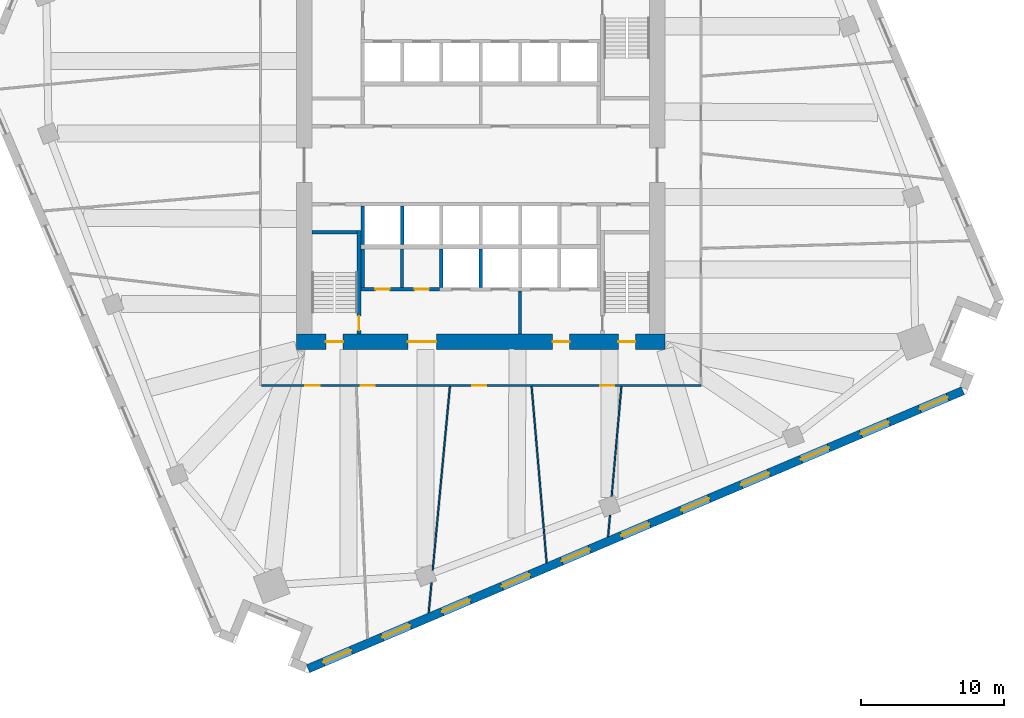
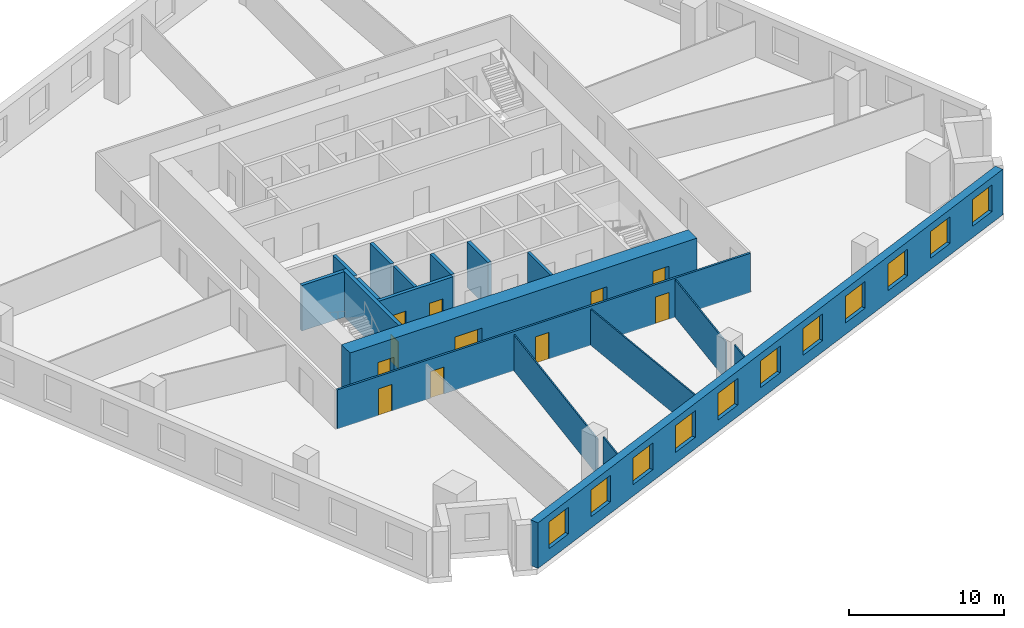
# One storey, part 6 of 12: 18 walls, 11 doors, 11 windows, 22 openings.
"""IFC4 building model written with IfcOpenShell, lengths in metres."""

from ifc_helpers import new_model, si_unit, direction, frame, frame_2d, origin, place, context, subcontext, project, spatial, rectangle, extrude, material, layer, layer_set, type_object, element, fill, save


model = new_model("IFC4")

# Units and contexts
model_context = context("Model", 3, precision=1e-05, world=origin(), true_north=direction((0.0, 1.0)))
body_context = subcontext(model_context, "Body", "Model", "MODEL_VIEW")
ifc_project = project(units=[si_unit("LENGTHUNIT", "METRE"), si_unit("AREAUNIT", "SQUARE_METRE"), si_unit("VOLUMEUNIT", "CUBIC_METRE"), si_unit("PLANEANGLEUNIT", "RADIAN"), si_unit("MASSUNIT", "GRAM", prefix="KILO")], contexts=[model_context])

# Site, building, storey
site_placement = place(None, origin())
site = spatial("IfcSite", under=ifc_project, at=site_placement, CompositionType="ELEMENT")
building_placement = place(site_placement, origin())
building = spatial("IfcBuilding", under=site, at=building_placement, Name="Dilmun Exchange Tower", CompositionType="ELEMENT")
storey_placement = place(building_placement, frame((0.0, 0.0, 114.10009765625)))
storey = spatial("IfcBuildingStorey", under=building, at=storey_placement, Name="L26", CompositionType="ELEMENT", Elevation=114.10009765625)

# Walls
ifc_material_1 = material(Name="Concrete C40/50", Category="concrete")
ifc_layer_1 = layer(ifc_material_1, 0.199951171875)
ifc_layer_set_1 = layer_set([ifc_layer_1], Name="Concrete C40/50")
wall_type_1 = type_object("IfcWallType", Name="Core partition wall 200", PredefinedType="PARTITIONING", material=ifc_layer_set_1)
wall_1_placement = place(storey_placement, frame((2.75, -11.794921875, 0.0), z_axis=(0.0, 0.0, 1.0), x_axis=(0.0, 1.0, 0.0)))
element("IfcWall", 1, at=wall_1_placement, inside=storey, type_object=wall_type_1, Name="L26 core partition wall 01", PredefinedType="PARTITIONING", context=body_context, shape_type="SweptSolid", body=[
    extrude(rectangle(XDim=2.989990234375, YDim=0.199951171875, at=frame_2d((1.4951171875, 0.0))), origin(), (0.0, 0.0, 1.0), 3.579833984375),
])
wall_2_placement = place(storey_placement, frame((-5.5, -8.544921875, 0.0), z_axis=(0.0, 0.0, 1.0), x_axis=(0.0, 1.0, 0.0)))
element("IfcWall", 2, at=wall_2_placement, inside=storey, type_object=wall_type_1, Name="L26 core partition wall 04", PredefinedType="PARTITIONING", context=body_context, shape_type="SweptSolid", body=[
    extrude(rectangle(XDim=2.68994140625, YDim=0.199951171875, at=frame_2d((1.344970703125, 0.0))), origin(), (0.0, 0.0, 1.0), 3.579833984375),
])

# Wall, openings, doors
ifc_layer_2 = layer(ifc_material_1, 0.25)
ifc_layer_set_2 = layer_set([ifc_layer_2], Name="Concrete C40/50")
wall_type_2 = type_object("IfcWallType", Name="Core partition wall 250", PredefinedType="PARTITIONING", material=ifc_layer_set_2)
wall_3_placement = place(storey_placement, frame((-8.3701171875, -8.675048828125, 0.0), z_axis=(0.0, 0.0, 1.0), x_axis=(1.0, 0.0, 0.0)))
wall_3 = element("IfcWall", 3, at=wall_3_placement, inside=storey, type_object=wall_type_2, Name="L26 core partition wall 02", PredefinedType="PARTITIONING", context=body_context, shape_type="SweptSolid", body=[
    extrude(rectangle(XDim=5.490234375, YDim=0.25, at=frame_2d((2.7451171875, 0.0))), origin(), (0.0, 0.0, 1.0), 3.579833984375),
])
opening_1_placement = place(wall_3_placement, frame((0.9951171875, 0.0, 0.0)))
opening_1 = element("IfcOpeningElement", 4, at=opening_1_placement, cuts=wall_3, Name="Opening CD4", PredefinedType="OPENING", context=body_context, shape_type="SweptSolid", body=[
    extrude(rectangle(XDim=1.0, YDim=2.10009765625, at=frame_2d((0.5, 1.050048828125))), frame((0.0, 0.135009765625, 0.0), z_axis=(0.0, -1.0, 0.0), x_axis=(1.0, 0.0, 0.0)), (0.0, 0.0, 1.0), 0.27001953125),
])
opening_2_placement = place(wall_3_placement, frame((3.7451171875, 0.0, 0.0)))
opening_2 = element("IfcOpeningElement", 5, at=opening_2_placement, cuts=wall_3, Name="Opening CD4", PredefinedType="OPENING", context=body_context, shape_type="SweptSolid", body=[
    extrude(rectangle(XDim=1.0, YDim=2.10009765625, at=frame_2d((0.5, 1.050048828125))), frame((0.0, 0.135009765625, 0.0), z_axis=(0.0, -1.0, 0.0), x_axis=(1.0, 0.0, 0.0)), (0.0, 0.0, 1.0), 0.27001953125),
])
ifc_material_2 = material(Name="Fire-rated steel door set", Category="steel")
door_type_1 = type_object("IfcDoorType", Name="Core room door 1000x2100", OperationType="SINGLE_SWING_LEFT", PredefinedType="DOOR", material=ifc_material_2)
door_1_placement = place(opening_1_placement, origin())
door_1 = element("IfcDoor", 6, at=door_1_placement, inside=storey, type_object=door_type_1, Name="L26 door Male WC", OperationType="SINGLE_SWING_LEFT", OverallHeight=2.10009765625, OverallWidth=1.0, PredefinedType="DOOR", context=body_context, shape_type="SweptSolid", body=[
    extrude(rectangle(XDim=1.0, YDim=2.10009765625, at=frame_2d((0.5, 1.050048828125))), frame((0.0, 0.02490234375, 0.0), z_axis=(0.0, -1.0, 0.0), x_axis=(1.0, 0.0, 0.0)), (0.0, 0.0, 1.0), 0.050048828125),
])
fill(opening_1, door_1)
door_2_placement = place(opening_2_placement, origin())
door_2 = element("IfcDoor", 7, at=door_2_placement, inside=storey, type_object=door_type_1, Name="L26 door Female WC", OperationType="SINGLE_SWING_LEFT", OverallHeight=2.10009765625, OverallWidth=1.0, PredefinedType="DOOR", context=body_context, shape_type="SweptSolid", body=[
    extrude(rectangle(XDim=1.0, YDim=2.10009765625, at=frame_2d((0.5, 1.050048828125))), frame((0.0, 0.02490234375, 0.0), z_axis=(0.0, -1.0, 0.0), x_axis=(1.0, 0.0, 0.0)), (0.0, 0.0, 1.0), 0.050048828125),
])
fill(opening_2, door_2)

# Wall
wall_4_placement = place(storey_placement, frame((-8.25, -8.544921875, 0.0), z_axis=(0.0, 0.0, 1.0), x_axis=(0.0, 1.0, 0.0)))
element("IfcWall", 8, at=wall_4_placement, inside=storey, type_object=wall_type_2, Name="L26 core partition wall 03", PredefinedType="PARTITIONING", context=body_context, shape_type="SweptSolid", body=[
    extrude(rectangle(XDim=2.68994140625, YDim=0.25, at=frame_2d((1.344970703125, 0.0))), origin(), (0.0, 0.0, 1.0), 3.579833984375),
])

# Wall, openings, doors
ifc_material_3 = material(Name="Concrete C80/95", Category="concrete")
ifc_layer_3 = layer(ifc_material_3, 1.10009765625)
ifc_layer_set_3 = layer_set([ifc_layer_3], Name="Concrete C80/95")
wall_type_3 = type_object("IfcWallType", Name="Core shear wall 1100 Concrete C80/95", PredefinedType="SHEAR", material=ifc_layer_set_3)
wall_5_placement = place(storey_placement, frame((-12.89990234375, -12.35009765625, 0.0), z_axis=(0.0, 0.0, 1.0), x_axis=(1.0, 0.0, 0.0)))
wall_5 = element("IfcWall", 9, at=wall_5_placement, inside=storey, type_object=wall_type_3, Name="L26 core shear wall S", PredefinedType="SHEAR", context=body_context, shape_type="SweptSolid", body=[
    extrude(rectangle(XDim=25.7998046875, YDim=1.10009765625, at=frame_2d((12.89990234375, 0.0))), origin(), (0.0, 0.0, 1.0), 3.579833984375),
])
opening_3_placement = place(wall_5_placement, frame((7.800048828125, 0.0, 0.0)))
opening_3 = element("IfcOpeningElement", 10, at=opening_3_placement, cuts=wall_5, Name="Opening CD2", PredefinedType="OPENING", context=body_context, shape_type="SweptSolid", body=[
    extrude(rectangle(XDim=2.0, YDim=2.10009765625, at=frame_2d((1.0, 1.050048828125))), frame((0.0, 0.56005859375, 0.0), z_axis=(0.0, -1.0, 0.0), x_axis=(1.0, 0.0, 0.0)), (0.0, 0.0, 1.0), 1.1201171875),
])
opening_4_placement = place(wall_5_placement, frame((17.925048828125, 0.0, 0.0)))
opening_4 = element("IfcOpeningElement", 11, at=opening_4_placement, cuts=wall_5, Name="Opening CD3", PredefinedType="OPENING", context=body_context, shape_type="SweptSolid", body=[
    extrude(rectangle(XDim=1.199951171875, YDim=2.10009765625, at=frame_2d((0.60009765625, 1.050048828125))), frame((0.0, 0.56005859375, 0.0), z_axis=(0.0, -1.0, 0.0), x_axis=(1.0, 0.0, 0.0)), (0.0, 0.0, 1.0), 1.1201171875),
])
opening_5_placement = place(wall_5_placement, frame((2.074951171875, 0.0, 0.0)))
opening_5 = element("IfcOpeningElement", 12, at=opening_5_placement, cuts=wall_5, Name="Opening CD3", PredefinedType="OPENING", context=body_context, shape_type="SweptSolid", body=[
    extrude(rectangle(XDim=1.199951171875, YDim=2.10009765625, at=frame_2d((0.60009765625, 1.050048828125))), frame((0.0, 0.56005859375, 0.0), z_axis=(0.0, -1.0, 0.0), x_axis=(1.0, 0.0, 0.0)), (0.0, 0.0, 1.0), 1.1201171875),
])
opening_6_placement = place(wall_5_placement, frame((22.52490234375, 0.0, 0.0)))
opening_6 = element("IfcOpeningElement", 13, at=opening_6_placement, cuts=wall_5, Name="Opening CD3", PredefinedType="OPENING", context=body_context, shape_type="SweptSolid", body=[
    extrude(rectangle(XDim=1.199951171875, YDim=2.10009765625, at=frame_2d((0.60009765625, 1.050048828125))), frame((0.0, 0.56005859375, 0.0), z_axis=(0.0, -1.0, 0.0), x_axis=(1.0, 0.0, 0.0)), (0.0, 0.0, 1.0), 1.1201171875),
])
door_type_2 = type_object("IfcDoorType", Name="Core service door 2000x2100", OperationType="DOUBLE_DOOR_DOUBLE_SWING", PredefinedType="DOOR", material=ifc_material_2)
door_3_placement = place(opening_3_placement, origin())
door_3 = element("IfcDoor", 14, at=door_3_placement, inside=storey, type_object=door_type_2, Name="L26 door South service lobby", OperationType="SINGLE_SWING_LEFT", OverallHeight=2.10009765625, OverallWidth=2.0, PredefinedType="DOOR", context=body_context, shape_type="SweptSolid", body=[
    extrude(rectangle(XDim=2.0, YDim=2.10009765625, at=frame_2d((1.0, 1.050048828125))), frame((0.0, 0.02490234375, 0.0), z_axis=(0.0, -1.0, 0.0), x_axis=(1.0, 0.0, 0.0)), (0.0, 0.0, 1.0), 0.050048828125),
])
fill(opening_3, door_3)
door_type_3 = type_object("IfcDoorType", Name="Stair exit door 1200x2100", OperationType="SINGLE_SWING_LEFT", PredefinedType="DOOR", material=ifc_material_2)
door_4_placement = place(opening_4_placement, origin())
door_4 = element("IfcDoor", 15, at=door_4_placement, inside=storey, type_object=door_type_3, Name="L26 door Fire-fighting lobby", OperationType="SINGLE_SWING_LEFT", OverallHeight=2.10009765625, OverallWidth=1.199951171875, PredefinedType="DOOR", context=body_context, shape_type="SweptSolid", body=[
    extrude(rectangle(XDim=1.199951171875, YDim=2.10009765625, at=frame_2d((0.60009765625, 1.050048828125))), frame((0.0, 0.02490234375, 0.0), z_axis=(0.0, -1.0, 0.0), x_axis=(1.0, 0.0, 0.0)), (0.0, 0.0, 1.0), 0.050048828125),
])
fill(opening_4, door_4)
door_5_placement = place(opening_5_placement, origin())
door_5 = element("IfcDoor", 16, at=door_5_placement, inside=storey, type_object=door_type_3, Name="L26 door Stair ST2", OperationType="SINGLE_SWING_LEFT", OverallHeight=2.10009765625, OverallWidth=1.199951171875, PredefinedType="DOOR", context=body_context, shape_type="SweptSolid", body=[
    extrude(rectangle(XDim=1.199951171875, YDim=2.10009765625, at=frame_2d((0.60009765625, 1.050048828125))), frame((0.0, 0.02490234375, 0.0), z_axis=(0.0, -1.0, 0.0), x_axis=(1.0, 0.0, 0.0)), (0.0, 0.0, 1.0), 0.050048828125),
])
fill(opening_5, door_5)
door_6_placement = place(opening_6_placement, origin())
door_6 = element("IfcDoor", 17, at=door_6_placement, inside=storey, type_object=door_type_3, Name="L26 door Stair ST3", OperationType="SINGLE_SWING_LEFT", OverallHeight=2.10009765625, OverallWidth=1.199951171875, PredefinedType="DOOR", context=body_context, shape_type="SweptSolid", body=[
    extrude(rectangle(XDim=1.199951171875, YDim=2.10009765625, at=frame_2d((0.60009765625, 1.050048828125))), frame((0.0, 0.02490234375, 0.0), z_axis=(0.0, -1.0, 0.0), x_axis=(1.0, 0.0, 0.0)), (0.0, 0.0, 1.0), 0.050048828125),
])
fill(opening_6, door_6)

ifc_material_4 = material(Name="Corridor wall 150")
ifc_layer_4 = layer(ifc_material_4, 0.14990234375)
ifc_layer_set_4 = layer_set([ifc_layer_4], Name="Corridor wall 150")
wall_type_4 = type_object("IfcWallType", Name="Corridor wall 150", PredefinedType="PARTITIONING", material=ifc_layer_set_4)
wall_6_placement = place(storey_placement, frame((-15.324951171875, -15.39990234375, 0.0), z_axis=(0.0, 0.0, 1.0), x_axis=(1.0, 0.0, 0.0)))
wall_6 = element("IfcWall", 18, at=wall_6_placement, inside=storey, type_object=wall_type_4, Name="Corridor wall", PredefinedType="PARTITIONING", context=body_context, shape_type="SweptSolid", body=[
    extrude(rectangle(XDim=30.724853515625, YDim=0.14990234375, at=frame_2d((15.3623046875, 0.0))), origin(), (0.0, 0.0, 1.0), 3.079833984375),
])
opening_7_placement = place(wall_6_placement, frame((3.050048828125, 0.0, 0.0)))
opening_7 = element("IfcOpeningElement", 19, at=opening_7_placement, cuts=wall_6, Name="Opening TF26-D07", PredefinedType="OPENING", context=body_context, shape_type="SweptSolid", body=[
    extrude(rectangle(XDim=1.0, YDim=2.10009765625, at=frame_2d((0.5, 1.050048828125))), frame((0.0, 0.0849609375, 0.0), z_axis=(0.0, -1.0, 0.0), x_axis=(1.0, 0.0, 0.0)), (0.0, 0.0, 1.0), 0.169921875),
])
opening_8_placement = place(wall_6_placement, frame((6.91552734375, 0.0, 0.0)))
opening_8 = element("IfcOpeningElement", 20, at=opening_8_placement, cuts=wall_6, Name="Opening TF26-D08", PredefinedType="OPENING", context=body_context, shape_type="SweptSolid", body=[
    extrude(rectangle(XDim=1.0, YDim=2.10009765625, at=frame_2d((0.5, 1.050048828125))), frame((0.0, 0.0849609375, 0.0), z_axis=(0.0, -1.0, 0.0), x_axis=(1.0, 0.0, 0.0)), (0.0, 0.0, 1.0), 0.169921875),
])
opening_9_placement = place(wall_6_placement, frame((14.72216796875, 0.0, 0.0)))
opening_9 = element("IfcOpeningElement", 21, at=opening_9_placement, cuts=wall_6, Name="Opening TF26-D10", PredefinedType="OPENING", context=body_context, shape_type="SweptSolid", body=[
    extrude(rectangle(XDim=1.0, YDim=2.10009765625, at=frame_2d((0.5, 1.050048828125))), frame((0.0, 0.0849609375, 0.0), z_axis=(0.0, -1.0, 0.0), x_axis=(1.0, 0.0, 0.0)), (0.0, 0.0, 1.0), 0.169921875),
])
opening_10_placement = place(wall_6_placement, frame((23.67724609375, 0.0, 0.0)))
opening_10 = element("IfcOpeningElement", 22, at=opening_10_placement, cuts=wall_6, Name="Opening TF26-D12", PredefinedType="OPENING", context=body_context, shape_type="SweptSolid", body=[
    extrude(rectangle(XDim=1.0, YDim=2.10009765625, at=frame_2d((0.5, 1.050048828125))), frame((0.0, 0.0849609375, 0.0), z_axis=(0.0, -1.0, 0.0), x_axis=(1.0, 0.0, 0.0)), (0.0, 0.0, 1.0), 0.169921875),
])
ifc_material_5 = material(Name="Fire door 1000 x 2100")
door_type_4 = type_object("IfcDoorType", Name="Fire door 1000 x 2100", OperationType="NOTDEFINED", PredefinedType="DOOR", material=ifc_material_5)
door_7_placement = place(opening_7_placement, frame((1.0, 0.0, 0.0), z_axis=(0.0, 0.0, 1.0), x_axis=(-1.0, 0.0, 0.0)))
door_7 = element("IfcDoor", 23, at=door_7_placement, inside=storey, type_object=door_type_4, Name="Door TF26-D07", OperationType="SINGLE_SWING_LEFT", OverallHeight=2.10009765625, OverallWidth=1.0, PredefinedType="DOOR", context=body_context, shape_type="SweptSolid", body=[
    extrude(rectangle(XDim=1.0, YDim=2.10009765625, at=frame_2d((0.5, 1.050048828125))), frame((0.0, 0.02490234375, 0.0), z_axis=(0.0, -1.0, 0.0), x_axis=(1.0, 0.0, 0.0)), (0.0, 0.0, 1.0), 0.050048828125),
])
fill(opening_7, door_7)
door_8_placement = place(opening_8_placement, frame((1.0, 0.0, 0.0), z_axis=(0.0, 0.0, 1.0), x_axis=(-1.0, 0.0, 0.0)))
door_8 = element("IfcDoor", 24, at=door_8_placement, inside=storey, type_object=door_type_4, Name="Door TF26-D08", OperationType="SINGLE_SWING_RIGHT", OverallHeight=2.10009765625, OverallWidth=1.0, PredefinedType="DOOR", context=body_context, shape_type="SweptSolid", body=[
    extrude(rectangle(XDim=1.0, YDim=2.10009765625, at=frame_2d((0.5, 1.050048828125))), frame((0.0, 0.02490234375, 0.0), z_axis=(0.0, -1.0, 0.0), x_axis=(1.0, 0.0, 0.0)), (0.0, 0.0, 1.0), 0.050048828125),
])
fill(opening_8, door_8)
door_9_placement = place(opening_9_placement, frame((1.0, 0.0, 0.0), z_axis=(0.0, 0.0, 1.0), x_axis=(-1.0, 0.0, 0.0)))
door_9 = element("IfcDoor", 25, at=door_9_placement, inside=storey, type_object=door_type_4, Name="Door TF26-D10", OperationType="SINGLE_SWING_RIGHT", OverallHeight=2.10009765625, OverallWidth=1.0, PredefinedType="DOOR", context=body_context, shape_type="SweptSolid", body=[
    extrude(rectangle(XDim=1.0, YDim=2.10009765625, at=frame_2d((0.5, 1.050048828125))), frame((0.0, 0.02490234375, 0.0), z_axis=(0.0, -1.0, 0.0), x_axis=(1.0, 0.0, 0.0)), (0.0, 0.0, 1.0), 0.050048828125),
])
fill(opening_9, door_9)
door_10_placement = place(opening_10_placement, frame((1.0, 0.0, 0.0), z_axis=(0.0, 0.0, 1.0), x_axis=(-1.0, 0.0, 0.0)))
door_10 = element("IfcDoor", 26, at=door_10_placement, inside=storey, type_object=door_type_4, Name="Door TF26-D12", OperationType="SINGLE_SWING_LEFT", OverallHeight=2.10009765625, OverallWidth=1.0, PredefinedType="DOOR", context=body_context, shape_type="SweptSolid", body=[
    extrude(rectangle(XDim=1.0, YDim=2.10009765625, at=frame_2d((0.5, 1.050048828125))), frame((0.0, 0.02490234375, 0.0), z_axis=(0.0, -1.0, 0.0), x_axis=(1.0, 0.0, 0.0)), (0.0, 0.0, 1.0), 0.050048828125),
])
fill(opening_10, door_10)

# Walls
ifc_layer_5 = layer(ifc_material_1, 0.25)
ifc_layer_set_5 = layer_set([ifc_layer_5], Name="Concrete C40/50")
wall_type_5 = type_object("IfcWallType", Name="Lift shaft wall 250", PredefinedType="SOLIDWALL", material=ifc_layer_set_5)
for number, where, z_axis, x_axis, name in (
    (27, (-8.25, -5.550048828125, 0.0), (0.0, 0.0, 1.0), (0.0, 1.0, 0.0), "L26 lift shaft divider S10"),
    (28, (-5.5, -5.550048828125, 0.0), (0.0, 0.0, 1.0), (0.0, 1.0, 0.0), "L26 lift shaft divider S11"),
    (29, (-2.75, -8.550048828125, 0.0), (0.0, 0.0, 1.0), (0.0, 1.0, 0.0), "L26 lift shaft divider S22"),
    (30, (0.0, -8.550048828125, 0.0), (0.0, 0.0, 1.0), (0.0, 1.0, 0.0), "L26 lift shaft divider S23"),
):
    element("IfcWall", number, at=place(storey_placement, frame(where, z_axis=z_axis, x_axis=x_axis)), inside=storey, type_object=wall_type_5, Name=name, PredefinedType="SOLIDWALL", context=body_context, shape_type="SweptSolid", body=[
        extrude(rectangle(XDim=2.699951171875, YDim=0.25, at=frame_2d((1.35009765625, 0.0))), origin(), (0.0, 0.0, 1.0), 3.579833984375),
    ])
ifc_material_6 = material(Name="Partition 100")
ifc_layer_6 = layer(ifc_material_6, 0.10009765625)
ifc_layer_set_6 = layer_set([ifc_layer_6], Name="Partition 100")
wall_type_6 = type_object("IfcWallType", Name="Partition 100", PredefinedType="PARTITIONING", material=ifc_layer_set_6)
wall_7_placement = place(storey_placement, frame((-3.64013671875, -31.30908203125, 0.0), z_axis=(0.0, 0.0, 1.0), x_axis=(0.093362131985, 0.995632217393, 0.0)))
element("IfcWall", 31, at=wall_7_placement, inside=storey, type_object=wall_type_6, Name="Partition", PredefinedType="PARTITIONING", context=body_context, shape_type="SweptSolid", body=[
    extrude(rectangle(XDim=2.1181640625, YDim=0.10009765625, at=frame_2d((1.05908203125, 0.0))), origin(), (0.0, 0.0, 1.0), 3.579833984375),
])
wall_8_placement = place(storey_placement, frame((-3.360107421875, -28.321044921875, 0.0), z_axis=(0.0, 0.0, 1.0), x_axis=(0.093320771667, 0.995636094954, 0.0)))
element("IfcWall", 32, at=wall_8_placement, inside=storey, type_object=wall_type_6, Name="Partition", PredefinedType="PARTITIONING", context=body_context, shape_type="SweptSolid", body=[
    extrude(rectangle(XDim=12.897705078125, YDim=0.10009765625, at=frame_2d((6.44873046875, 0.0))), origin(), (0.0, 0.0, 1.0), 2.829833984375),
])
wall_9_placement = place(storey_placement, frame((3.558837890625, -15.479248046875, 0.0), z_axis=(0.0, 0.0, 1.0), x_axis=(0.08504742067, -0.996376904709, 0.0)))
element("IfcWall", 33, at=wall_9_placement, inside=storey, type_object=wall_type_6, Name="Partition", PredefinedType="PARTITIONING", context=body_context, shape_type="SweptSolid", body=[
    extrude(rectangle(XDim=12.37255859375, YDim=0.10009765625, at=frame_2d((6.186279296875, 0.0))), origin(), (0.0, 0.0, 1.0), 2.829833984375),
])
wall_10_placement = place(storey_placement, frame((8.908203125, -25.98291015625, 0.0), z_axis=(0.0, 0.0, 1.0), x_axis=(0.088149646839, 0.996107243103, 0.0)))
element("IfcWall", 34, at=wall_10_placement, inside=storey, type_object=wall_type_6, Name="Partition", PredefinedType="PARTITIONING", context=body_context, shape_type="SweptSolid", body=[
    extrude(rectangle(XDim=1.50390625, YDim=0.10009765625, at=frame_2d((0.751953125, 0.0))), origin(), (0.0, 0.0, 1.0), 3.579833984375),
])
wall_11_placement = place(storey_placement, frame((9.158203125, -23.15771484375, 0.0), z_axis=(0.0, 0.0, 1.0), x_axis=(0.088176658473, 0.996104852363, 0.0)))
element("IfcWall", 35, at=wall_11_placement, inside=storey, type_object=wall_type_6, Name="Partition", PredefinedType="PARTITIONING", context=body_context, shape_type="SweptSolid", body=[
    extrude(rectangle(XDim=7.708251953125, YDim=0.10009765625, at=frame_2d((3.85400390625, 0.0))), origin(), (0.0, 0.0, 1.0), 2.9599609375),
])

# Wall, openings, windows
ifc_material_7 = material(Name="Precast concrete C50/60", Category="concrete")
ifc_layer_7 = layer(ifc_material_7, 0.60009765625)
ifc_layer_set_7 = layer_set([ifc_layer_7], Name="Precast concrete C50/60")
wall_type_7 = type_object("IfcWallType", Name="Precast stone-clad wall 600", PredefinedType="STANDARD", material=ifc_layer_set_7)
wall_12_placement = place(storey_placement, frame((-12.074951171875, -35.2177734375, 0.0), z_axis=(0.0, 0.0, 1.0), x_axis=(0.920504562186, 0.39073181467, 0.0)))
wall_12 = element("IfcWall", 36, at=wall_12_placement, inside=storey, type_object=wall_type_7, Name="Facade wall L26-15", PredefinedType="STANDARD", context=body_context, shape_type="SweptSolid", body=[
    extrude(rectangle(XDim=49.75146484375, YDim=0.60009765625, at=frame_2d((24.875732421875, 0.0))), origin(), (0.0, 0.0, 1.0), 3.579833984375),
])
opening_11_placement = place(wall_12_placement, frame((1.16064453125, 0.0, 0.89990234375)))
opening_11 = element("IfcOpeningElement", 37, at=opening_11_placement, cuts=wall_12, Name="Opening W210-210", PredefinedType="OPENING", context=body_context, shape_type="SweptSolid", body=[
    extrude(rectangle(XDim=2.10009765625, YDim=2.10009765625, at=frame_2d((1.050048828125, 1.050048828125))), frame((0.0, 0.31005859375, 0.0), z_axis=(0.0, -1.0, 0.0), x_axis=(1.0, 0.0, 0.0)), (0.0, 0.0, 1.0), 0.6201171875),
])
opening_12_placement = place(wall_12_placement, frame((5.643798828125, 0.0, 0.89990234375)))
opening_12 = element("IfcOpeningElement", 38, at=opening_12_placement, cuts=wall_12, Name="Opening W210-210", PredefinedType="OPENING", context=body_context, shape_type="SweptSolid", body=[
    extrude(rectangle(XDim=2.10009765625, YDim=2.10009765625, at=frame_2d((1.050048828125, 1.050048828125))), frame((0.0, 0.31005859375, 0.0), z_axis=(0.0, -1.0, 0.0), x_axis=(1.0, 0.0, 0.0)), (0.0, 0.0, 1.0), 0.6201171875),
])
opening_13_placement = place(wall_12_placement, frame((10.189453125, 0.0, 0.89990234375)))
opening_13 = element("IfcOpeningElement", 39, at=opening_13_placement, cuts=wall_12, Name="Opening W210-210", PredefinedType="OPENING", context=body_context, shape_type="SweptSolid", body=[
    extrude(rectangle(XDim=2.10009765625, YDim=2.10009765625, at=frame_2d((1.050048828125, 1.050048828125))), frame((0.0, 0.31005859375, 0.0), z_axis=(0.0, -1.0, 0.0), x_axis=(1.0, 0.0, 0.0)), (0.0, 0.0, 1.0), 0.6201171875),
])
opening_14_placement = place(wall_12_placement, frame((14.73486328125, 0.0, 0.89990234375)))
opening_14 = element("IfcOpeningElement", 40, at=opening_14_placement, cuts=wall_12, Name="Opening W210-210", PredefinedType="OPENING", context=body_context, shape_type="SweptSolid", body=[
    extrude(rectangle(XDim=2.10009765625, YDim=2.10009765625, at=frame_2d((1.050048828125, 1.050048828125))), frame((0.0, 0.31005859375, 0.0), z_axis=(0.0, -1.0, 0.0), x_axis=(1.0, 0.0, 0.0)), (0.0, 0.0, 1.0), 0.6201171875),
])
opening_15_placement = place(wall_12_placement, frame((19.2802734375, 0.0, 0.89990234375)))
opening_15 = element("IfcOpeningElement", 41, at=opening_15_placement, cuts=wall_12, Name="Opening W210-210", PredefinedType="OPENING", context=body_context, shape_type="SweptSolid", body=[
    extrude(rectangle(XDim=2.10009765625, YDim=2.10009765625, at=frame_2d((1.050048828125, 1.050048828125))), frame((0.0, 0.31005859375, 0.0), z_axis=(0.0, -1.0, 0.0), x_axis=(1.0, 0.0, 0.0)), (0.0, 0.0, 1.0), 0.6201171875),
])
opening_16_placement = place(wall_12_placement, frame((23.82568359375, 0.0, 0.89990234375)))
opening_16 = element("IfcOpeningElement", 42, at=opening_16_placement, cuts=wall_12, Name="Opening W210-210", PredefinedType="OPENING", context=body_context, shape_type="SweptSolid", body=[
    extrude(rectangle(XDim=2.10009765625, YDim=2.10009765625, at=frame_2d((1.050048828125, 1.050048828125))), frame((0.0, 0.31005859375, 0.0), z_axis=(0.0, -1.0, 0.0), x_axis=(1.0, 0.0, 0.0)), (0.0, 0.0, 1.0), 0.6201171875),
])
opening_17_placement = place(wall_12_placement, frame((28.37109375, 0.0, 0.89990234375)))
opening_17 = element("IfcOpeningElement", 43, at=opening_17_placement, cuts=wall_12, Name="Opening W210-210", PredefinedType="OPENING", context=body_context, shape_type="SweptSolid", body=[
    extrude(rectangle(XDim=2.10009765625, YDim=2.10009765625, at=frame_2d((1.050048828125, 1.050048828125))), frame((0.0, 0.31005859375, 0.0), z_axis=(0.0, -1.0, 0.0), x_axis=(1.0, 0.0, 0.0)), (0.0, 0.0, 1.0), 0.6201171875),
])
opening_18_placement = place(wall_12_placement, frame((32.91650390625, 0.0, 0.89990234375)))
opening_18 = element("IfcOpeningElement", 44, at=opening_18_placement, cuts=wall_12, Name="Opening W210-210", PredefinedType="OPENING", context=body_context, shape_type="SweptSolid", body=[
    extrude(rectangle(XDim=2.10009765625, YDim=2.10009765625, at=frame_2d((1.050048828125, 1.050048828125))), frame((0.0, 0.31005859375, 0.0), z_axis=(0.0, -1.0, 0.0), x_axis=(1.0, 0.0, 0.0)), (0.0, 0.0, 1.0), 0.6201171875),
])
opening_19_placement = place(wall_12_placement, frame((37.462158203125, 0.0, 0.89990234375)))
opening_19 = element("IfcOpeningElement", 45, at=opening_19_placement, cuts=wall_12, Name="Opening W210-210", PredefinedType="OPENING", context=body_context, shape_type="SweptSolid", body=[
    extrude(rectangle(XDim=2.10009765625, YDim=2.10009765625, at=frame_2d((1.050048828125, 1.050048828125))), frame((0.0, 0.31005859375, 0.0), z_axis=(0.0, -1.0, 0.0), x_axis=(1.0, 0.0, 0.0)), (0.0, 0.0, 1.0), 0.6201171875),
])
opening_20_placement = place(wall_12_placement, frame((42.007568359375, 0.0, 0.89990234375)))
opening_20 = element("IfcOpeningElement", 46, at=opening_20_placement, cuts=wall_12, Name="Opening W210-210", PredefinedType="OPENING", context=body_context, shape_type="SweptSolid", body=[
    extrude(rectangle(XDim=2.10009765625, YDim=2.10009765625, at=frame_2d((1.050048828125, 1.050048828125))), frame((0.0, 0.31005859375, 0.0), z_axis=(0.0, -1.0, 0.0), x_axis=(1.0, 0.0, 0.0)), (0.0, 0.0, 1.0), 0.6201171875),
])
opening_21_placement = place(wall_12_placement, frame((46.490966796875, 0.0, 0.89990234375)))
opening_21 = element("IfcOpeningElement", 47, at=opening_21_placement, cuts=wall_12, Name="Opening W210-210", PredefinedType="OPENING", context=body_context, shape_type="SweptSolid", body=[
    extrude(rectangle(XDim=2.10009765625, YDim=2.10009765625, at=frame_2d((1.050048828125, 1.050048828125))), frame((0.0, 0.31005859375, 0.0), z_axis=(0.0, -1.0, 0.0), x_axis=(1.0, 0.0, 0.0)), (0.0, 0.0, 1.0), 0.6201171875),
])
ifc_material_8 = material(Name="Clear low-emissivity glass in aluminium frame", Category="aluminium")
window_type = type_object("IfcWindowType", Name="Punched window 2100 x 2100", PartitioningType="DOUBLE_PANEL_VERTICAL", PredefinedType="WINDOW", material=ifc_material_8)
window_1_placement = place(opening_11_placement, origin())
window_1 = element("IfcWindow", 48, at=window_1_placement, inside=storey, type_object=window_type, Name="Window 16.1", OverallHeight=2.10009765625, OverallWidth=2.10009765625, PartitioningType="SINGLE_PANEL", PredefinedType="WINDOW", context=body_context, shape_type="SweptSolid", body=[
    extrude(rectangle(XDim=2.10009765625, YDim=2.10009765625, at=frame_2d((1.050048828125, 1.050048828125))), frame((0.0, 0.030029296875, 0.0), z_axis=(0.0, -1.0, 0.0), x_axis=(1.0, 0.0, 0.0)), (0.0, 0.0, 1.0), 0.06005859375),
])
fill(opening_11, window_1)
window_2_placement = place(opening_12_placement, origin())
window_2 = element("IfcWindow", 49, at=window_2_placement, inside=storey, type_object=window_type, Name="Window 16.2", OverallHeight=2.10009765625, OverallWidth=2.10009765625, PartitioningType="SINGLE_PANEL", PredefinedType="WINDOW", context=body_context, shape_type="SweptSolid", body=[
    extrude(rectangle(XDim=2.10009765625, YDim=2.10009765625, at=frame_2d((1.050048828125, 1.050048828125))), frame((0.0, 0.030029296875, 0.0), z_axis=(0.0, -1.0, 0.0), x_axis=(1.0, 0.0, 0.0)), (0.0, 0.0, 1.0), 0.06005859375),
])
fill(opening_12, window_2)
window_3_placement = place(opening_13_placement, origin())
window_3 = element("IfcWindow", 50, at=window_3_placement, inside=storey, type_object=window_type, Name="Window 16.3", OverallHeight=2.10009765625, OverallWidth=2.10009765625, PartitioningType="SINGLE_PANEL", PredefinedType="WINDOW", context=body_context, shape_type="SweptSolid", body=[
    extrude(rectangle(XDim=2.10009765625, YDim=2.10009765625, at=frame_2d((1.050048828125, 1.050048828125))), frame((0.0, 0.030029296875, 0.0), z_axis=(0.0, -1.0, 0.0), x_axis=(1.0, 0.0, 0.0)), (0.0, 0.0, 1.0), 0.06005859375),
])
fill(opening_13, window_3)
window_4_placement = place(opening_14_placement, origin())
window_4 = element("IfcWindow", 51, at=window_4_placement, inside=storey, type_object=window_type, Name="Window 16.4", OverallHeight=2.10009765625, OverallWidth=2.10009765625, PartitioningType="SINGLE_PANEL", PredefinedType="WINDOW", context=body_context, shape_type="SweptSolid", body=[
    extrude(rectangle(XDim=2.10009765625, YDim=2.10009765625, at=frame_2d((1.050048828125, 1.050048828125))), frame((0.0, 0.030029296875, 0.0), z_axis=(0.0, -1.0, 0.0), x_axis=(1.0, 0.0, 0.0)), (0.0, 0.0, 1.0), 0.06005859375),
])
fill(opening_14, window_4)
window_5_placement = place(opening_15_placement, origin())
window_5 = element("IfcWindow", 52, at=window_5_placement, inside=storey, type_object=window_type, Name="Window 16.5", OverallHeight=2.10009765625, OverallWidth=2.10009765625, PartitioningType="SINGLE_PANEL", PredefinedType="WINDOW", context=body_context, shape_type="SweptSolid", body=[
    extrude(rectangle(XDim=2.10009765625, YDim=2.10009765625, at=frame_2d((1.050048828125, 1.050048828125))), frame((0.0, 0.030029296875, 0.0), z_axis=(0.0, -1.0, 0.0), x_axis=(1.0, 0.0, 0.0)), (0.0, 0.0, 1.0), 0.06005859375),
])
fill(opening_15, window_5)
window_6_placement = place(opening_16_placement, origin())
window_6 = element("IfcWindow", 53, at=window_6_placement, inside=storey, type_object=window_type, Name="Window 16.6", OverallHeight=2.10009765625, OverallWidth=2.10009765625, PartitioningType="SINGLE_PANEL", PredefinedType="WINDOW", context=body_context, shape_type="SweptSolid", body=[
    extrude(rectangle(XDim=2.10009765625, YDim=2.10009765625, at=frame_2d((1.050048828125, 1.050048828125))), frame((0.0, 0.030029296875, 0.0), z_axis=(0.0, -1.0, 0.0), x_axis=(1.0, 0.0, 0.0)), (0.0, 0.0, 1.0), 0.06005859375),
])
fill(opening_16, window_6)
window_7_placement = place(opening_17_placement, origin())
window_7 = element("IfcWindow", 54, at=window_7_placement, inside=storey, type_object=window_type, Name="Window 16.7", OverallHeight=2.10009765625, OverallWidth=2.10009765625, PartitioningType="SINGLE_PANEL", PredefinedType="WINDOW", context=body_context, shape_type="SweptSolid", body=[
    extrude(rectangle(XDim=2.10009765625, YDim=2.10009765625, at=frame_2d((1.050048828125, 1.050048828125))), frame((0.0, 0.030029296875, 0.0), z_axis=(0.0, -1.0, 0.0), x_axis=(1.0, 0.0, 0.0)), (0.0, 0.0, 1.0), 0.06005859375),
])
fill(opening_17, window_7)
window_8_placement = place(opening_18_placement, origin())
window_8 = element("IfcWindow", 55, at=window_8_placement, inside=storey, type_object=window_type, Name="Window 16.8", OverallHeight=2.10009765625, OverallWidth=2.10009765625, PartitioningType="SINGLE_PANEL", PredefinedType="WINDOW", context=body_context, shape_type="SweptSolid", body=[
    extrude(rectangle(XDim=2.10009765625, YDim=2.10009765625, at=frame_2d((1.050048828125, 1.050048828125))), frame((0.0, 0.030029296875, 0.0), z_axis=(0.0, -1.0, 0.0), x_axis=(1.0, 0.0, 0.0)), (0.0, 0.0, 1.0), 0.06005859375),
])
fill(opening_18, window_8)
window_9_placement = place(opening_19_placement, origin())
window_9 = element("IfcWindow", 56, at=window_9_placement, inside=storey, type_object=window_type, Name="Window 16.9", OverallHeight=2.10009765625, OverallWidth=2.10009765625, PartitioningType="SINGLE_PANEL", PredefinedType="WINDOW", context=body_context, shape_type="SweptSolid", body=[
    extrude(rectangle(XDim=2.10009765625, YDim=2.10009765625, at=frame_2d((1.050048828125, 1.050048828125))), frame((0.0, 0.030029296875, 0.0), z_axis=(0.0, -1.0, 0.0), x_axis=(1.0, 0.0, 0.0)), (0.0, 0.0, 1.0), 0.06005859375),
])
fill(opening_19, window_9)
window_10_placement = place(opening_20_placement, origin())
window_10 = element("IfcWindow", 57, at=window_10_placement, inside=storey, type_object=window_type, Name="Window 16.10", OverallHeight=2.10009765625, OverallWidth=2.10009765625, PartitioningType="SINGLE_PANEL", PredefinedType="WINDOW", context=body_context, shape_type="SweptSolid", body=[
    extrude(rectangle(XDim=2.10009765625, YDim=2.10009765625, at=frame_2d((1.050048828125, 1.050048828125))), frame((0.0, 0.030029296875, 0.0), z_axis=(0.0, -1.0, 0.0), x_axis=(1.0, 0.0, 0.0)), (0.0, 0.0, 1.0), 0.06005859375),
])
fill(opening_20, window_10)
window_11_placement = place(opening_21_placement, origin())
window_11 = element("IfcWindow", 58, at=window_11_placement, inside=storey, type_object=window_type, Name="Window 16.11", OverallHeight=2.10009765625, OverallWidth=2.10009765625, PartitioningType="SINGLE_PANEL", PredefinedType="WINDOW", context=body_context, shape_type="SweptSolid", body=[
    extrude(rectangle(XDim=2.10009765625, YDim=2.10009765625, at=frame_2d((1.050048828125, 1.050048828125))), frame((0.0, 0.030029296875, 0.0), z_axis=(0.0, -1.0, 0.0), x_axis=(1.0, 0.0, 0.0)), (0.0, 0.0, 1.0), 0.06005859375),
])
fill(opening_21, window_11)

# Wall
ifc_layer_8 = layer(ifc_material_1, 0.25)
ifc_layer_set_8 = layer_set([ifc_layer_8], Name="Concrete C40/50")
wall_type_8 = type_object("IfcWallType", Name="Stair end wall 250", PredefinedType="SOLIDWALL", material=ifc_layer_set_8)
wall_13_placement = place(storey_placement, frame((-8.64990234375, -4.675048828125, 0.0), z_axis=(0.0, 0.0, 1.0), x_axis=(-1.0, 0.0, 0.0)))
element("IfcWall", 59, at=wall_13_placement, inside=storey, type_object=wall_type_8, Name="L26 ST2 far wall", PredefinedType="SOLIDWALL", context=body_context, shape_type="SweptSolid", body=[
    extrude(rectangle(XDim=3.150146484375, YDim=0.25, at=frame_2d((1.5751953125, 0.0))), origin(), (0.0, 0.0, 1.0), 3.579833984375),
])

# Wall, opening, door
ifc_layer_9 = layer(ifc_material_1, 0.27490234375)
ifc_layer_set_9 = layer_set([ifc_layer_9], Name="Concrete C40/50")
wall_type_9 = type_object("IfcWallType", Name="Stair wall 275", PredefinedType="SOLIDWALL", material=ifc_layer_set_9)
wall_14_placement = place(storey_placement, frame((-8.512451171875, -4.550048828125, 0.0), z_axis=(0.0, 0.0, 1.0), x_axis=(0.0, -1.0, 0.0)))
wall_14 = element("IfcWall", 60, at=wall_14_placement, inside=storey, type_object=wall_type_9, Name="L26 ST2 wall to lift block", PredefinedType="SOLIDWALL", context=body_context, shape_type="SweptSolid", body=[
    extrude(rectangle(XDim=7.25, YDim=0.27490234375, at=frame_2d((3.625, 0.0))), origin(), (0.0, 0.0, 1.0), 3.579833984375),
])
opening_22_placement = place(wall_14_placement, frame((6.0, 0.0, 0.0)))
opening_22 = element("IfcOpeningElement", 61, at=opening_22_placement, cuts=wall_14, Name="Opening CD4", PredefinedType="OPENING", context=body_context, shape_type="SweptSolid", body=[
    extrude(rectangle(XDim=1.0, YDim=2.10009765625, at=frame_2d((0.5, 1.050048828125))), frame((0.0, 0.1474609375, 0.0), z_axis=(0.0, -1.0, 0.0), x_axis=(1.0, 0.0, 0.0)), (0.0, 0.0, 1.0), 0.294921875),
])
door_11_placement = place(opening_22_placement, origin())
door_11 = element("IfcDoor", 62, at=door_11_placement, inside=storey, type_object=door_type_1, Name="L26 door ST2 from lobby", OperationType="SINGLE_SWING_LEFT", OverallHeight=2.10009765625, OverallWidth=1.0, PredefinedType="DOOR", context=body_context, shape_type="SweptSolid", body=[
    extrude(rectangle(XDim=1.0, YDim=2.10009765625, at=frame_2d((0.5, 1.050048828125))), frame((0.0, 0.02490234375, 0.0), z_axis=(0.0, -1.0, 0.0), x_axis=(1.0, 0.0, 0.0)), (0.0, 0.0, 1.0), 0.050048828125),
])
fill(opening_22, door_11)

save(model, "model.ifc")
